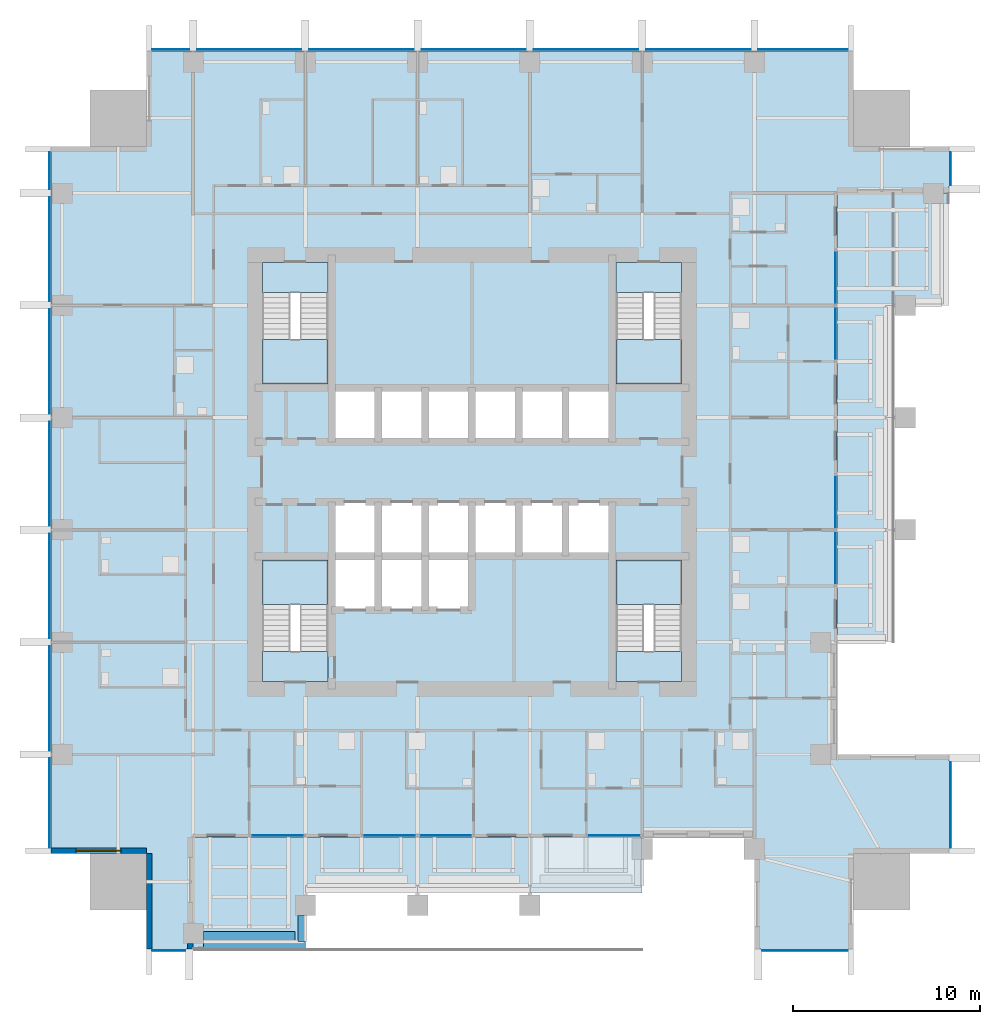
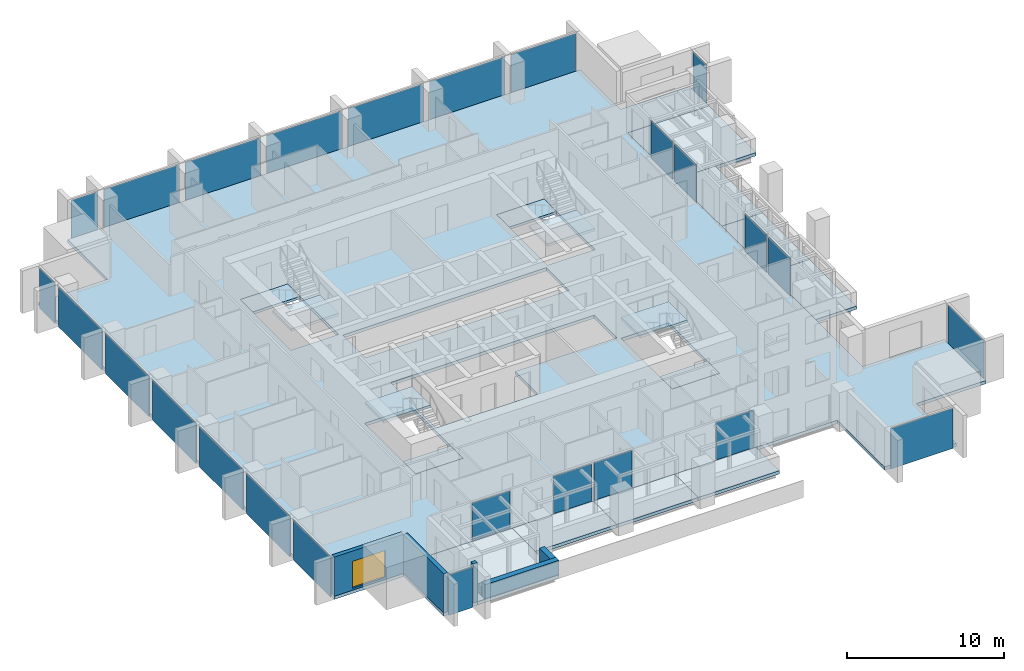
# One storey, part 6 of 16: 26 plates, 17 slabs, 6 walls, 1 window, 1 opening, 18 elements without a shape of their own.
"""IFC4 building model written with IfcOpenShell, lengths in metres."""

from ifc_helpers import new_model, si_unit, direction, frame, frame_2d, origin, origin_2d, place, context, subcontext, project, spatial, polyline, rectangle, outline, extrude, material, layer, layer_set, type_object, element, fill, aggregate, save


model = new_model("IFC4")

# Units and contexts
model_context = context("Model", 3, precision=1e-05, world=origin(), true_north=direction((0.0, 1.0)))
body_context = subcontext(model_context, "Body", "Model", "MODEL_VIEW")
ifc_project = project(units=[si_unit("LENGTHUNIT", "METRE"), si_unit("AREAUNIT", "SQUARE_METRE"), si_unit("VOLUMEUNIT", "CUBIC_METRE"), si_unit("PLANEANGLEUNIT", "RADIAN"), si_unit("MASSUNIT", "GRAM", prefix="KILO")], contexts=[model_context])

# Site, building, storey
site_placement = place(None, origin())
site = spatial("IfcSite", under=ifc_project, at=site_placement, CompositionType="ELEMENT")
building_placement = place(site_placement, origin())
building = spatial("IfcBuilding", under=site, at=building_placement, Name="Amberfall Residences", CompositionType="ELEMENT")
storey_placement = place(building_placement, frame((0.0, 0.0, 108.39990234375)))
storey = spatial("IfcBuildingStorey", under=building, at=storey_placement, Name="L29", CompositionType="ELEMENT", Elevation=108.39990234375)

# Curtain wall, plate
ifc_material_1 = material(Name="Bronze anodised aluminium and glass", Category="aluminium")
curtain_wall_type_1 = type_object("IfcCurtainWallType", Name="Curtain wall CW1 tower unit", PredefinedType="USERDEFINED", material=ifc_material_1)
curtain_wall_1_placement = place(storey_placement, origin())
curtain_wall_1 = element("IfcCurtainWall", 1, at=curtain_wall_1_placement, inside=storey, type_object=curtain_wall_type_1, Name="Curtain wall L29 S S1", ObjectType="UNITISED CURTAIN WALL", PredefinedType="USERDEFINED")
ifc_material_2 = material(Name="Tinted double glazed unit", Category="glass")
ifc_layer_1 = layer(ifc_material_2, 0.035888671875)
ifc_layer_set_1 = layer_set([ifc_layer_1], Name="CW1 panel 36 glazing")
plate_type_1 = type_object("IfcPlateType", Name="CW1 panel 36 glazing", PredefinedType="CURTAIN_PANEL", material=ifc_layer_set_1)
plate_1_placement = place(storey_placement, frame((58.300048828125, 19.925048828125, -0.249755859375), z_axis=(0.0, 0.0, 1.0), x_axis=(1.0, 0.0, 0.0)))
plate_1 = element("IfcPlate", 2, at=plate_1_placement, type_object=plate_type_1, Name="CW1 panel 1.1", PredefinedType="CURTAIN_PANEL", context=body_context, shape_type="SweptSolid", body=[
    extrude(rectangle(XDim=1.77587890625, YDim=0.035888671875, at=origin_2d()), origin(), (0.0, 0.0, 1.0), 3.14990234375),
])
aggregate(curtain_wall_1, [plate_1])

curtain_wall_2_placement = place(storey_placement, origin())
curtain_wall_2 = element("IfcCurtainWall", 3, at=curtain_wall_2_placement, inside=storey, type_object=curtain_wall_type_1, Name="Curtain wall L29 S S9", ObjectType="UNITISED CURTAIN WALL", PredefinedType="USERDEFINED")
plate_2_placement = place(storey_placement, frame((92.300048828125, 19.925048828125, -0.249755859375), z_axis=(0.0, 0.0, 1.0), x_axis=(1.0, 0.0, 0.0)))
plate_2 = element("IfcPlate", 4, at=plate_2_placement, type_object=plate_type_1, Name="CW1 panel 1.1", PredefinedType="CURTAIN_PANEL", context=body_context, shape_type="SweptSolid", body=[
    extrude(rectangle(XDim=4.575927734375, YDim=0.035888671875, at=origin_2d()), origin(), (0.0, 0.0, 1.0), 3.14990234375),
])
aggregate(curtain_wall_2, [plate_2])

curtain_wall_3_placement = place(storey_placement, origin())
curtain_wall_3 = element("IfcCurtainWall", 5, at=curtain_wall_3_placement, inside=storey, type_object=curtain_wall_type_1, Name="Curtain wall L29 E E1", ObjectType="UNITISED CURTAIN WALL", PredefinedType="USERDEFINED")
plate_3_placement = place(storey_placement, frame((100.074951171875, 27.699951171875, -0.249755859375), z_axis=(0.0, 0.0, 1.0), x_axis=(0.0, 1.0, 0.0)))
plate_3 = element("IfcPlate", 6, at=plate_3_placement, type_object=plate_type_1, Name="CW1 panel 1.1", PredefinedType="CURTAIN_PANEL", context=body_context, shape_type="SweptSolid", body=[
    extrude(rectangle(XDim=4.575927734375, YDim=0.035888671875, at=origin_2d()), origin(), (0.0, 0.0, 1.0), 3.14990234375),
])
aggregate(curtain_wall_3, [plate_3])

curtain_wall_4_placement = place(storey_placement, origin())
curtain_wall_4 = element("IfcCurtainWall", 7, at=curtain_wall_4_placement, inside=storey, type_object=curtain_wall_type_1, Name="Curtain wall L29 E E9", ObjectType="UNITISED CURTAIN WALL", PredefinedType="USERDEFINED")
plate_4_placement = place(storey_placement, frame((100.074951171875, 61.699951171875, -0.249755859375), z_axis=(0.0, 0.0, 1.0), x_axis=(0.0, 1.0, 0.0)))
plate_4 = element("IfcPlate", 8, at=plate_4_placement, type_object=plate_type_1, Name="CW1 panel 1.1", PredefinedType="CURTAIN_PANEL", context=body_context, shape_type="SweptSolid", body=[
    extrude(rectangle(XDim=1.77587890625, YDim=0.035888671875, at=origin_2d()), origin(), (0.0, 0.0, 1.0), 3.14990234375),
])
aggregate(curtain_wall_4, [plate_4])

# Curtain wall, plates
curtain_wall_5_placement = place(storey_placement, origin())
curtain_wall_5 = element("IfcCurtainWall", 9, at=curtain_wall_5_placement, inside=storey, type_object=curtain_wall_type_1, Name="Curtain wall L29 N N1", ObjectType="UNITISED CURTAIN WALL", PredefinedType="USERDEFINED")
plate_5_placement = place(storey_placement, frame((92.199951171875, 68.074951171875, -0.249755859375), z_axis=(0.0, 0.0, 1.0), x_axis=(-1.0, 0.0, 0.0)))
plate_5 = element("IfcPlate", 10, at=plate_5_placement, type_object=plate_type_1, Name="CW1 panel 1.1", PredefinedType="CURTAIN_PANEL", context=body_context, shape_type="SweptSolid", body=[
    extrude(rectangle(XDim=4.77587890625, YDim=0.035888671875, at=origin_2d()), origin(), (0.0, 0.0, 1.0), 3.14990234375),
])
plate_6_placement = place(storey_placement, frame((86.60009765625, 68.074951171875, -0.249755859375), z_axis=(0.0, 0.0, 1.0), x_axis=(-1.0, 0.0, 0.0)))
plate_6 = element("IfcPlate", 11, at=plate_6_placement, type_object=plate_type_1, Name="CW1 panel 2.1", PredefinedType="CURTAIN_PANEL", context=body_context, shape_type="SweptSolid", body=[
    extrude(rectangle(XDim=5.575927734375, YDim=0.035888671875, at=origin_2d()), origin(), (0.0, 0.0, 1.0), 3.14990234375),
])
plate_7_placement = place(storey_placement, frame((80.60009765625, 68.074951171875, -0.249755859375), z_axis=(0.0, 0.0, 1.0), x_axis=(-1.0, 0.0, 0.0)))
plate_7 = element("IfcPlate", 12, at=plate_7_placement, type_object=plate_type_1, Name="CW1 panel 3.1", PredefinedType="CURTAIN_PANEL", context=body_context, shape_type="SweptSolid", body=[
    extrude(rectangle(XDim=5.575927734375, YDim=0.035888671875, at=origin_2d()), origin(), (0.0, 0.0, 1.0), 3.14990234375),
])
plate_8_placement = place(storey_placement, frame((74.60009765625, 68.074951171875, -0.249755859375), z_axis=(0.0, 0.0, 1.0), x_axis=(-1.0, 0.0, 0.0)))
plate_8 = element("IfcPlate", 13, at=plate_8_placement, type_object=plate_type_1, Name="CW1 panel 4.1", PredefinedType="CURTAIN_PANEL", context=body_context, shape_type="SweptSolid", body=[
    extrude(rectangle(XDim=5.575927734375, YDim=0.035888671875, at=origin_2d()), origin(), (0.0, 0.0, 1.0), 3.14990234375),
])
plate_9_placement = place(storey_placement, frame((68.60009765625, 68.074951171875, -0.249755859375), z_axis=(0.0, 0.0, 1.0), x_axis=(-1.0, 0.0, 0.0)))
plate_9 = element("IfcPlate", 14, at=plate_9_placement, type_object=plate_type_1, Name="CW1 panel 5.1", PredefinedType="CURTAIN_PANEL", context=body_context, shape_type="SweptSolid", body=[
    extrude(rectangle(XDim=5.575927734375, YDim=0.035888671875, at=origin_2d()), origin(), (0.0, 0.0, 1.0), 3.14990234375),
])
plate_10_placement = place(storey_placement, frame((62.60009765625, 68.074951171875, -0.249755859375), z_axis=(0.0, 0.0, 1.0), x_axis=(-1.0, 0.0, 0.0)))
plate_10 = element("IfcPlate", 15, at=plate_10_placement, type_object=plate_type_1, Name="CW1 panel 6.1", PredefinedType="CURTAIN_PANEL", context=body_context, shape_type="SweptSolid", body=[
    extrude(rectangle(XDim=5.575927734375, YDim=0.035888671875, at=origin_2d()), origin(), (0.0, 0.0, 1.0), 3.14990234375),
])
plate_11_placement = place(storey_placement, frame((58.39990234375, 68.074951171875, -0.249755859375), z_axis=(0.0, 0.0, 1.0), x_axis=(-1.0, 0.0, 0.0)))
plate_11 = element("IfcPlate", 16, at=plate_11_placement, type_object=plate_type_1, Name="CW1 panel 7.1", PredefinedType="CURTAIN_PANEL", context=body_context, shape_type="SweptSolid", body=[
    extrude(rectangle(XDim=1.97607421875, YDim=0.035888671875, at=origin_2d()), origin(), (0.0, 0.0, 1.0), 3.14990234375),
])
aggregate(curtain_wall_5, [plate_5, plate_6, plate_7, plate_8, plate_9, plate_10, plate_11])

curtain_wall_6_placement = place(storey_placement, origin())
curtain_wall_6 = element("IfcCurtainWall", 17, at=curtain_wall_6_placement, inside=storey, type_object=curtain_wall_type_1, Name="Curtain wall L29 W W1", ObjectType="UNITISED CURTAIN WALL", PredefinedType="USERDEFINED")
plate_12_placement = place(storey_placement, frame((51.925048828125, 61.60009765625, -0.249755859375), z_axis=(0.0, 0.0, 1.0), x_axis=(0.0, -1.0, 0.0)))
plate_12 = element("IfcPlate", 18, at=plate_12_placement, type_object=plate_type_1, Name="CW1 panel 1.1", PredefinedType="CURTAIN_PANEL", context=body_context, shape_type="SweptSolid", body=[
    extrude(rectangle(XDim=1.97607421875, YDim=0.035888671875, at=origin_2d()), origin(), (0.0, 0.0, 1.0), 3.14990234375),
])
plate_13_placement = place(storey_placement, frame((51.925048828125, 57.39990234375, -0.249755859375), z_axis=(0.0, 0.0, 1.0), x_axis=(0.0, -1.0, 0.0)))
plate_13 = element("IfcPlate", 19, at=plate_13_placement, type_object=plate_type_1, Name="CW1 panel 2.1", PredefinedType="CURTAIN_PANEL", context=body_context, shape_type="SweptSolid", body=[
    extrude(rectangle(XDim=5.575927734375, YDim=0.035888671875, at=origin_2d()), origin(), (0.0, 0.0, 1.0), 3.14990234375),
])
plate_14_placement = place(storey_placement, frame((51.925048828125, 51.39990234375, -0.249755859375), z_axis=(0.0, 0.0, 1.0), x_axis=(0.0, -1.0, 0.0)))
plate_14 = element("IfcPlate", 20, at=plate_14_placement, type_object=plate_type_1, Name="CW1 panel 3.1", PredefinedType="CURTAIN_PANEL", context=body_context, shape_type="SweptSolid", body=[
    extrude(rectangle(XDim=5.575927734375, YDim=0.035888671875, at=origin_2d()), origin(), (0.0, 0.0, 1.0), 3.14990234375),
])
plate_15_placement = place(storey_placement, frame((51.925048828125, 45.39990234375, -0.249755859375), z_axis=(0.0, 0.0, 1.0), x_axis=(0.0, -1.0, 0.0)))
plate_15 = element("IfcPlate", 21, at=plate_15_placement, type_object=plate_type_1, Name="CW1 panel 4.1", PredefinedType="CURTAIN_PANEL", context=body_context, shape_type="SweptSolid", body=[
    extrude(rectangle(XDim=5.575927734375, YDim=0.035888671875, at=origin_2d()), origin(), (0.0, 0.0, 1.0), 3.14990234375),
])
plate_16_placement = place(storey_placement, frame((51.925048828125, 39.39990234375, -0.249755859375), z_axis=(0.0, 0.0, 1.0), x_axis=(0.0, -1.0, 0.0)))
plate_16 = element("IfcPlate", 22, at=plate_16_placement, type_object=plate_type_1, Name="CW1 panel 5.1", PredefinedType="CURTAIN_PANEL", context=body_context, shape_type="SweptSolid", body=[
    extrude(rectangle(XDim=5.575927734375, YDim=0.035888671875, at=origin_2d()), origin(), (0.0, 0.0, 1.0), 3.14990234375),
])
plate_17_placement = place(storey_placement, frame((51.925048828125, 33.39990234375, -0.249755859375), z_axis=(0.0, 0.0, 1.0), x_axis=(0.0, -1.0, 0.0)))
plate_17 = element("IfcPlate", 23, at=plate_17_placement, type_object=plate_type_1, Name="CW1 panel 6.1", PredefinedType="CURTAIN_PANEL", context=body_context, shape_type="SweptSolid", body=[
    extrude(rectangle(XDim=5.575927734375, YDim=0.035888671875, at=origin_2d()), origin(), (0.0, 0.0, 1.0), 3.14990234375),
])
plate_18_placement = place(storey_placement, frame((51.925048828125, 27.800048828125, -0.249755859375), z_axis=(0.0, 0.0, 1.0), x_axis=(0.0, -1.0, 0.0)))
plate_18 = element("IfcPlate", 24, at=plate_18_placement, type_object=plate_type_1, Name="CW1 panel 7.1", PredefinedType="CURTAIN_PANEL", context=body_context, shape_type="SweptSolid", body=[
    extrude(rectangle(XDim=4.77587890625, YDim=0.035888671875, at=origin_2d()), origin(), (0.0, 0.0, 1.0), 3.14990234375),
])
aggregate(curtain_wall_6, [plate_12, plate_13, plate_14, plate_15, plate_16, plate_17, plate_18])

# Curtain wall, plate
curtain_wall_type_2 = type_object("IfcCurtainWallType", Name="Curtain wall CW3 sky garden glazing", PredefinedType="USERDEFINED", material=ifc_material_1)
curtain_wall_7_placement = place(storey_placement, origin())
curtain_wall_7 = element("IfcCurtainWall", 25, at=curtain_wall_7_placement, inside=storey, type_object=curtain_wall_type_2, Name="Curtain wall L29 S S3", ObjectType="UNITISED CURTAIN WALL", PredefinedType="USERDEFINED")
ifc_material_3 = material(Name="Tinted laminated double glazed unit", Category="glass")
ifc_layer_2 = layer(ifc_material_3, 0.0439453125)
ifc_layer_set_2 = layer_set([ifc_layer_2], Name="CW3 panel 44 glazing")
plate_type_2 = type_object("IfcPlateType", Name="CW3 panel 44 glazing", PredefinedType="CURTAIN_PANEL", material=ifc_layer_set_2)
plate_19_placement = place(storey_placement, frame((64.10009765625, 26.074951171875, 0.000244140625), z_axis=(0.0, 0.0, 1.0), x_axis=(1.0, 0.0, 0.0)))
plate_19 = element("IfcPlate", 26, at=plate_19_placement, type_object=plate_type_2, Name="CW3 panel 1.1", PredefinedType="CURTAIN_PANEL", context=body_context, shape_type="SweptSolid", body=[
    extrude(rectangle(XDim=2.77587890625, YDim=0.0439453125, at=origin_2d()), origin(), (0.0, 0.0, 1.0), 2.89990234375),
])
aggregate(curtain_wall_7, [plate_19])

curtain_wall_8_placement = place(storey_placement, origin())
curtain_wall_8 = element("IfcCurtainWall", 27, at=curtain_wall_8_placement, inside=storey, type_object=curtain_wall_type_2, Name="Curtain wall L29 S S4", ObjectType="UNITISED CURTAIN WALL", PredefinedType="USERDEFINED")
plate_20_placement = place(storey_placement, frame((70.10009765625, 26.074951171875, 0.000244140625), z_axis=(0.0, 0.0, 1.0), x_axis=(1.0, 0.0, 0.0)))
plate_20 = element("IfcPlate", 28, at=plate_20_placement, type_object=plate_type_2, Name="CW3 panel 1.1", PredefinedType="CURTAIN_PANEL", context=body_context, shape_type="SweptSolid", body=[
    extrude(rectangle(XDim=2.77587890625, YDim=0.0439453125, at=origin_2d()), origin(), (0.0, 0.0, 1.0), 2.89990234375),
])
aggregate(curtain_wall_8, [plate_20])

curtain_wall_9_placement = place(storey_placement, origin())
curtain_wall_9 = element("IfcCurtainWall", 29, at=curtain_wall_9_placement, inside=storey, type_object=curtain_wall_type_2, Name="Curtain wall L29 S S5", ObjectType="UNITISED CURTAIN WALL", PredefinedType="USERDEFINED")
plate_21_placement = place(storey_placement, frame((73.10009765625, 26.074951171875, 0.000244140625), z_axis=(0.0, 0.0, 1.0), x_axis=(1.0, 0.0, 0.0)))
plate_21 = element("IfcPlate", 30, at=plate_21_placement, type_object=plate_type_2, Name="CW3 panel 1.1", PredefinedType="CURTAIN_PANEL", context=body_context, shape_type="SweptSolid", body=[
    extrude(rectangle(XDim=2.77587890625, YDim=0.0439453125, at=origin_2d()), origin(), (0.0, 0.0, 1.0), 2.89990234375),
])
aggregate(curtain_wall_9, [plate_21])

curtain_wall_10_placement = place(storey_placement, origin())
curtain_wall_10 = element("IfcCurtainWall", 31, at=curtain_wall_10_placement, inside=storey, type_object=curtain_wall_type_2, Name="Curtain wall L29 S S6", ObjectType="UNITISED CURTAIN WALL", PredefinedType="USERDEFINED")
plate_22_placement = place(storey_placement, frame((82.10009765625, 26.074951171875, 0.000244140625), z_axis=(0.0, 0.0, 1.0), x_axis=(1.0, 0.0, 0.0)))
plate_22 = element("IfcPlate", 32, at=plate_22_placement, type_object=plate_type_2, Name="CW3 panel 1.1", PredefinedType="CURTAIN_PANEL", context=body_context, shape_type="SweptSolid", body=[
    extrude(rectangle(XDim=2.77587890625, YDim=0.0439453125, at=origin_2d()), origin(), (0.0, 0.0, 1.0), 2.89990234375),
])
aggregate(curtain_wall_10, [plate_22])

curtain_wall_11_placement = place(storey_placement, origin())
curtain_wall_11 = element("IfcCurtainWall", 33, at=curtain_wall_11_placement, inside=storey, type_object=curtain_wall_type_2, Name="Curtain wall L29 E E4", ObjectType="UNITISED CURTAIN WALL", PredefinedType="USERDEFINED")
plate_23_placement = place(storey_placement, frame((93.925048828125, 40.89990234375, 0.000244140625), z_axis=(0.0, 0.0, 1.0), x_axis=(0.0, 1.0, 0.0)))
plate_23 = element("IfcPlate", 34, at=plate_23_placement, type_object=plate_type_2, Name="CW3 panel 1.1", PredefinedType="CURTAIN_PANEL", context=body_context, shape_type="SweptSolid", body=[
    extrude(rectangle(XDim=2.77587890625, YDim=0.0439453125, at=origin_2d()), origin(), (0.0, 0.0, 1.0), 2.89990234375),
])
aggregate(curtain_wall_11, [plate_23])

curtain_wall_12_placement = place(storey_placement, origin())
curtain_wall_12 = element("IfcCurtainWall", 35, at=curtain_wall_12_placement, inside=storey, type_object=curtain_wall_type_2, Name="Curtain wall L29 E E5", ObjectType="UNITISED CURTAIN WALL", PredefinedType="USERDEFINED")
plate_24_placement = place(storey_placement, frame((93.925048828125, 43.89990234375, 0.000244140625), z_axis=(0.0, 0.0, 1.0), x_axis=(0.0, 1.0, 0.0)))
plate_24 = element("IfcPlate", 36, at=plate_24_placement, type_object=plate_type_2, Name="CW3 panel 1.1", PredefinedType="CURTAIN_PANEL", context=body_context, shape_type="SweptSolid", body=[
    extrude(rectangle(XDim=2.77587890625, YDim=0.0439453125, at=origin_2d()), origin(), (0.0, 0.0, 1.0), 2.89990234375),
])
aggregate(curtain_wall_12, [plate_24])

curtain_wall_13_placement = place(storey_placement, origin())
curtain_wall_13 = element("IfcCurtainWall", 37, at=curtain_wall_13_placement, inside=storey, type_object=curtain_wall_type_2, Name="Curtain wall L29 E E6", ObjectType="UNITISED CURTAIN WALL", PredefinedType="USERDEFINED")
plate_25_placement = place(storey_placement, frame((93.925048828125, 52.89990234375, 0.000244140625), z_axis=(0.0, 0.0, 1.0), x_axis=(0.0, 1.0, 0.0)))
plate_25 = element("IfcPlate", 38, at=plate_25_placement, type_object=plate_type_2, Name="CW3 panel 1.1", PredefinedType="CURTAIN_PANEL", context=body_context, shape_type="SweptSolid", body=[
    extrude(rectangle(XDim=2.77587890625, YDim=0.0439453125, at=origin_2d()), origin(), (0.0, 0.0, 1.0), 2.89990234375),
])
aggregate(curtain_wall_13, [plate_25])

curtain_wall_14_placement = place(storey_placement, origin())
curtain_wall_14 = element("IfcCurtainWall", 39, at=curtain_wall_14_placement, inside=storey, type_object=curtain_wall_type_2, Name="Curtain wall L29 E E7", ObjectType="UNITISED CURTAIN WALL", PredefinedType="USERDEFINED")
plate_26_placement = place(storey_placement, frame((93.925048828125, 55.89990234375, 0.000244140625), z_axis=(0.0, 0.0, 1.0), x_axis=(0.0, 1.0, 0.0)))
plate_26 = element("IfcPlate", 40, at=plate_26_placement, type_object=plate_type_2, Name="CW3 panel 1.1", PredefinedType="CURTAIN_PANEL", context=body_context, shape_type="SweptSolid", body=[
    extrude(rectangle(XDim=2.77587890625, YDim=0.0439453125, at=origin_2d()), origin(), (0.0, 0.0, 1.0), 2.89990234375),
])
aggregate(curtain_wall_14, [plate_26])

# Slabs
ifc_material_4 = material(Name="Concrete C70", Category="concrete")
ifc_layer_3 = layer(ifc_material_4, 0.25)
ifc_layer_set_3 = layer_set([ifc_layer_3], Name="Floor slab 250 C70")
slab_type_1 = type_object("IfcSlabType", Name="Floor slab 250 C70", PredefinedType="FLOOR", material=ifc_layer_set_3)
slab_1_placement = place(storey_placement, frame((0.0, 0.0, -0.25)))
element("IfcSlab", 41, at=slab_1_placement, inside=storey, type_object=slab_type_1, Name="Floor slab S7 L29", PredefinedType="FLOOR", context=body_context, shape_type="SweptSolid", body=[
    extrude(outline(polyline([(89.60009765625, 20.0), (89.60009765625, 26.0), (83.60009765625, 26.0), (77.60009765625, 26.0), (71.60009765625, 26.0), (65.60009765625, 26.0), (59.60009765625, 26.0), (59.60009765625, 20.0), (57.10009765625, 20.0), (57.10009765625, 25.10009765625), (52.0, 25.10009765625), (52.0, 62.89990234375), (57.10009765625, 62.89990234375), (57.10009765625, 68.0), (94.89990234375, 68.0), (94.89990234375, 62.89990234375), (100.0, 62.89990234375), (100.0, 60.39990234375), (94.0, 60.39990234375), (94.0, 54.39990234375), (94.0, 48.39990234375), (94.0, 42.39990234375), (94.0, 36.39990234375), (94.0, 30.39990234375), (100.0, 30.39990234375), (100.0, 25.10009765625), (94.89990234375, 25.10009765625), (94.89990234375, 20.0), (89.60009765625, 20.0)]), holes=[polyline([(85.699951171875, 34.300048828125), (85.699951171875, 40.800048828125), (82.199951171875, 40.800048828125), (82.199951171875, 34.300048828125), (85.699951171875, 34.300048828125)]), polyline([(82.199951171875, 50.199951171875), (85.699951171875, 50.199951171875), (85.699951171875, 56.699951171875), (82.199951171875, 56.699951171875), (82.199951171875, 50.199951171875)]), polyline([(69.5, 50.0), (67.0, 50.0), (67.0, 47.10009765625), (69.5, 47.10009765625), (72.0, 47.10009765625), (74.5, 47.10009765625), (77.0, 47.10009765625), (79.5, 47.10009765625), (82.0, 47.10009765625), (82.0, 50.0), (79.5, 50.0), (77.0, 50.0), (74.5, 50.0), (72.0, 50.0), (69.5, 50.0)]), polyline([(74.5, 41.0), (77.0, 41.0), (79.5, 41.0), (82.0, 41.0), (82.0, 43.89990234375), (79.5, 43.89990234375), (77.0, 43.89990234375), (74.5, 43.89990234375), (72.0, 43.89990234375), (69.5, 43.89990234375), (67.0, 43.89990234375), (67.0, 41.0), (67.0, 38.10009765625), (69.5, 38.10009765625), (72.0, 38.10009765625), (74.5, 38.10009765625), (74.5, 41.0)]), polyline([(66.800048828125, 34.300048828125), (66.800048828125, 40.800048828125), (63.300048828125, 40.800048828125), (63.300048828125, 34.300048828125), (66.800048828125, 34.300048828125)]), polyline([(66.800048828125, 50.199951171875), (66.800048828125, 56.699951171875), (63.300048828125, 56.699951171875), (63.300048828125, 50.199951171875), (66.800048828125, 50.199951171875)])]), origin(), (0.0, 0.0, 1.0), 0.25),
])
ifc_layer_4 = layer(ifc_material_4, 0.25)
ifc_layer_set_4 = layer_set([ifc_layer_4], Name="Garden terrace slab 250 C70")
slab_type_2 = type_object("IfcSlabType", Name="Garden terrace slab 250 C70", PredefinedType="FLOOR", material=ifc_layer_set_4)
slab_2_placement = place(storey_placement, frame((0.0, 0.0, -0.25)))
element("IfcSlab", 42, at=slab_2_placement, inside=storey, type_object=slab_type_2, Name="Terrace slab S8 L29 S1", PredefinedType="FLOOR", context=body_context, shape_type="SweptSolid", body=[
    extrude(outline(polyline([(65.60009765625, 20.0), (65.60009765625, 26.0), (59.60009765625, 26.0), (59.60009765625, 20.0), (65.60009765625, 20.0)])), origin(), (0.0, 0.0, 1.0), 0.25),
])
slab_3_placement = place(storey_placement, frame((0.0, 0.0, -0.25)))
element("IfcSlab", 43, at=slab_3_placement, inside=storey, type_object=slab_type_2, Name="Terrace slab S8 L29 S2", PredefinedType="FLOOR", context=body_context, shape_type="SweptSolid", body=[
    extrude(outline(polyline([(65.60009765625, 26.0), (71.60009765625, 26.0), (71.60009765625, 23.0), (65.60009765625, 23.0), (65.60009765625, 26.0)])), origin(), (0.0, 0.0, 1.0), 0.25),
])
slab_4_placement = place(storey_placement, frame((0.0, 0.0, -0.25)))
element("IfcSlab", 44, at=slab_4_placement, inside=storey, type_object=slab_type_2, Name="Terrace slab S8 L29 S3", PredefinedType="FLOOR", context=body_context, shape_type="SweptSolid", body=[
    extrude(outline(polyline([(71.60009765625, 26.0), (77.60009765625, 26.0), (77.60009765625, 23.0), (71.60009765625, 23.0), (71.60009765625, 26.0)])), origin(), (0.0, 0.0, 1.0), 0.25),
])
slab_5_placement = place(storey_placement, frame((0.0, 0.0, -0.25)))
element("IfcSlab", 45, at=slab_5_placement, inside=storey, type_object=slab_type_2, Name="Terrace slab S8 L29 S4", PredefinedType="FLOOR", context=body_context, shape_type="SweptSolid", body=[
    extrude(outline(polyline([(77.60009765625, 26.0), (83.60009765625, 26.0), (83.60009765625, 23.0), (77.60009765625, 23.0), (77.60009765625, 26.0)])), origin(), (0.0, 0.0, 1.0), 0.25),
])
slab_6_placement = place(storey_placement, frame((0.0, 0.0, -0.25)))
element("IfcSlab", 46, at=slab_6_placement, inside=storey, type_object=slab_type_2, Name="Terrace slab S8 L29 E2", PredefinedType="FLOOR", context=body_context, shape_type="SweptSolid", body=[
    extrude(outline(polyline([(94.0, 36.39990234375), (94.0, 42.39990234375), (97.0, 42.39990234375), (97.0, 36.39990234375), (94.0, 36.39990234375)])), origin(), (0.0, 0.0, 1.0), 0.25),
])
slab_7_placement = place(storey_placement, frame((0.0, 0.0, -0.25)))
element("IfcSlab", 47, at=slab_7_placement, inside=storey, type_object=slab_type_2, Name="Terrace slab S8 L29 E3", PredefinedType="FLOOR", context=body_context, shape_type="SweptSolid", body=[
    extrude(outline(polyline([(94.0, 42.39990234375), (94.0, 48.39990234375), (97.0, 48.39990234375), (97.0, 42.39990234375), (94.0, 42.39990234375)])), origin(), (0.0, 0.0, 1.0), 0.25),
])
slab_8_placement = place(storey_placement, frame((0.0, 0.0, -0.25)))
element("IfcSlab", 48, at=slab_8_placement, inside=storey, type_object=slab_type_2, Name="Terrace slab S8 L29 E4", PredefinedType="FLOOR", context=body_context, shape_type="SweptSolid", body=[
    extrude(outline(polyline([(94.0, 48.39990234375), (94.0, 54.39990234375), (97.0, 54.39990234375), (97.0, 48.39990234375), (94.0, 48.39990234375)])), origin(), (0.0, 0.0, 1.0), 0.25),
])
slab_9_placement = place(storey_placement, frame((0.0, 0.0, -0.25)))
element("IfcSlab", 49, at=slab_9_placement, inside=storey, type_object=slab_type_2, Name="Terrace slab S8 L29 E5", PredefinedType="FLOOR", context=body_context, shape_type="SweptSolid", body=[
    extrude(outline(polyline([(100.0, 54.39990234375), (100.0, 60.39990234375), (94.0, 60.39990234375), (94.0, 54.39990234375), (100.0, 54.39990234375)])), origin(), (0.0, 0.0, 1.0), 0.25),
])

# Stair, slabs
ifc_material_5 = material(Name="Concrete C40", Category="concrete")
stair_type = type_object("IfcStairType", Name="Exit stair 20 risers 165.0 mm", PredefinedType="HALF_TURN_STAIR", material=ifc_material_5)
stair_1_placement = place(storey_placement, origin())
stair_1 = element("IfcStair", 50, at=stair_1_placement, inside=storey, type_object=stair_type, Name="L29 Exit stair 1", PredefinedType="HALF_TURN_STAIR")
ifc_layer_5 = layer(ifc_material_5, 0.199951171875)
ifc_layer_set_5 = layer_set([ifc_layer_5], Name="Stair landing 200")
slab_type_3 = type_object("IfcSlabType", Name="Stair landing 200", PredefinedType="LANDING", material=ifc_layer_set_5)
slab_10_placement = place(storey_placement, frame((0.0, 0.0, 1.4501953125)))
slab_10 = element("IfcSlab", 51, at=slab_10_placement, type_object=slab_type_3, Name="ST3 landing 1", PredefinedType="LANDING", context=body_context, shape_type="SweptSolid", body=[
    extrude(outline(polyline([(66.800048828125, 38.419921875), (66.800048828125, 40.800048828125), (63.300048828125, 40.800048828125), (63.300048828125, 38.419921875), (66.800048828125, 38.419921875)])), origin(), (0.0, 0.0, 1.0), 0.199951171875),
])
slab_11_placement = place(storey_placement, frame((0.0, 0.0, -0.199951171875)))
slab_11 = element("IfcSlab", 52, at=slab_11_placement, type_object=slab_type_3, Name="ST3 landing 2", PredefinedType="LANDING", context=body_context, shape_type="SweptSolid", body=[
    extrude(outline(polyline([(66.800048828125, 34.300048828125), (66.800048828125, 35.89990234375), (63.300048828125, 35.89990234375), (63.300048828125, 34.300048828125), (66.800048828125, 34.300048828125)])), origin(), (0.0, 0.0, 1.0), 0.199951171875),
])
aggregate(stair_1, [slab_10, slab_11])

stair_2_placement = place(storey_placement, origin())
stair_2 = element("IfcStair", 53, at=stair_2_placement, inside=storey, type_object=stair_type, Name="L29 Exit stair 2", PredefinedType="HALF_TURN_STAIR")
slab_12_placement = place(storey_placement, frame((0.0, 0.0, 1.4501953125)))
slab_12 = element("IfcSlab", 54, at=slab_12_placement, type_object=slab_type_3, Name="ST3 landing 1", PredefinedType="LANDING", context=body_context, shape_type="SweptSolid", body=[
    extrude(outline(polyline([(85.699951171875, 38.419921875), (85.699951171875, 40.800048828125), (82.199951171875, 40.800048828125), (82.199951171875, 38.419921875), (85.699951171875, 38.419921875)])), origin(), (0.0, 0.0, 1.0), 0.199951171875),
])
slab_13_placement = place(storey_placement, frame((0.0, 0.0, -0.199951171875)))
slab_13 = element("IfcSlab", 55, at=slab_13_placement, type_object=slab_type_3, Name="ST3 landing 2", PredefinedType="LANDING", context=body_context, shape_type="SweptSolid", body=[
    extrude(outline(polyline([(85.699951171875, 34.300048828125), (85.699951171875, 35.89990234375), (82.199951171875, 35.89990234375), (82.199951171875, 34.300048828125), (85.699951171875, 34.300048828125)])), origin(), (0.0, 0.0, 1.0), 0.199951171875),
])
aggregate(stair_2, [slab_12, slab_13])

stair_3_placement = place(storey_placement, origin())
stair_3 = element("IfcStair", 56, at=stair_3_placement, inside=storey, type_object=stair_type, Name="L29 Exit stair 3", PredefinedType="HALF_TURN_STAIR")
slab_14_placement = place(storey_placement, frame((0.0, 0.0, 1.4501953125)))
slab_14 = element("IfcSlab", 57, at=slab_14_placement, type_object=slab_type_3, Name="ST3 landing 1", PredefinedType="LANDING", context=body_context, shape_type="SweptSolid", body=[
    extrude(outline(polyline([(82.199951171875, 52.580078125), (82.199951171875, 50.199951171875), (85.699951171875, 50.199951171875), (85.699951171875, 52.580078125), (82.199951171875, 52.580078125)])), origin(), (0.0, 0.0, 1.0), 0.199951171875),
])
slab_15_placement = place(storey_placement, frame((0.0, 0.0, -0.199951171875)))
slab_15 = element("IfcSlab", 58, at=slab_15_placement, type_object=slab_type_3, Name="ST3 landing 2", PredefinedType="LANDING", context=body_context, shape_type="SweptSolid", body=[
    extrude(outline(polyline([(82.199951171875, 56.699951171875), (82.199951171875, 55.10009765625), (85.699951171875, 55.10009765625), (85.699951171875, 56.699951171875), (82.199951171875, 56.699951171875)])), origin(), (0.0, 0.0, 1.0), 0.199951171875),
])
aggregate(stair_3, [slab_14, slab_15])

stair_4_placement = place(storey_placement, origin())
stair_4 = element("IfcStair", 59, at=stair_4_placement, inside=storey, type_object=stair_type, Name="L29 Exit stair 4", PredefinedType="HALF_TURN_STAIR")
slab_16_placement = place(storey_placement, frame((0.0, 0.0, 1.4501953125)))
slab_16 = element("IfcSlab", 60, at=slab_16_placement, type_object=slab_type_3, Name="ST3 landing 1", PredefinedType="LANDING", context=body_context, shape_type="SweptSolid", body=[
    extrude(outline(polyline([(63.300048828125, 52.580078125), (63.300048828125, 50.199951171875), (66.800048828125, 50.199951171875), (66.800048828125, 52.580078125), (63.300048828125, 52.580078125)])), origin(), (0.0, 0.0, 1.0), 0.199951171875),
])
slab_17_placement = place(storey_placement, frame((0.0, 0.0, -0.199951171875)))
slab_17 = element("IfcSlab", 61, at=slab_17_placement, type_object=slab_type_3, Name="ST3 landing 2", PredefinedType="LANDING", context=body_context, shape_type="SweptSolid", body=[
    extrude(outline(polyline([(63.300048828125, 56.699951171875), (63.300048828125, 55.10009765625), (66.800048828125, 55.10009765625), (66.800048828125, 56.699951171875), (63.300048828125, 56.699951171875)])), origin(), (0.0, 0.0, 1.0), 0.199951171875),
])
aggregate(stair_4, [slab_16, slab_17])

# Wall
ifc_material_6 = material(Name="Pale stone cladding on insulated backing", Category="masonry")
ifc_layer_6 = layer(ifc_material_6, 0.300048828125)
ifc_layer_set_6 = layer_set([ifc_layer_6], Name="Bronze clad wall 300")
wall_type_1 = type_object("IfcWallType", Name="Bronze clad wall 300", PredefinedType="SOLIDWALL", material=ifc_layer_set_6)
wall_1_placement = place(storey_placement, frame((59.449951171875, 20.0, 0.0), z_axis=(0.0, 0.0, 1.0), x_axis=(0.0, 1.0, 0.0)))
element("IfcWall", 62, at=wall_1_placement, inside=storey, type_object=wall_type_1, Name="External wall L29 S", PredefinedType="SOLIDWALL", context=body_context, shape_type="SweptSolid", body=[
    extrude(rectangle(XDim=0.300048828125, YDim=0.300048828125, at=frame_2d((0.14990234375, 0.0))), origin(), (0.0, 0.0, 1.0), 3.050048828125),
])

# Wall, opening, window
wall_2_placement = place(storey_placement, frame((52.0, 25.25, 0.0), z_axis=(0.0, 0.0, 1.0), x_axis=(1.0, 0.0, 0.0)))
wall_2 = element("IfcWall", 63, at=wall_2_placement, inside=storey, type_object=wall_type_1, Name="External wall L29 SW", PredefinedType="SOLIDWALL", context=body_context, shape_type="SweptSolid", body=[
    extrude(rectangle(XDim=5.10009765625, YDim=0.300048828125, at=frame_2d((2.550048828125, 0.0))), origin(), (0.0, 0.0, 1.0), 3.050048828125),
])
opening_placement = place(wall_2_placement, frame((1.35009765625, 0.0, 0.14990234375)))
opening = element("IfcOpeningElement", 64, at=opening_placement, cuts=wall_2, Name="Opening WN5", PredefinedType="OPENING", context=body_context, shape_type="SweptSolid", body=[
    extrude(rectangle(XDim=2.39990234375, YDim=2.10009765625, at=frame_2d((1.199951171875, 1.050048828125))), frame((0.0, 0.159912109375, 0.0), z_axis=(0.0, -1.0, 0.0), x_axis=(1.0, 0.0, 0.0)), (0.0, 0.0, 1.0), 0.320068359375),
])
ifc_material_7 = material(Name="Bronze aluminium framed glazing", Category="aluminium")
window_type = type_object("IfcWindowType", Name="Glazed opening 2400 x 2100 bronze", PartitioningType="DOUBLE_PANEL_VERTICAL", PredefinedType="WINDOW", material=ifc_material_7)
window_placement = place(opening_placement, origin())
window = element("IfcWindow", 65, at=window_placement, inside=storey, type_object=window_type, Name="Window L29 SW", OverallHeight=2.10009765625, OverallWidth=2.39990234375, PartitioningType="DOUBLE_PANEL_VERTICAL", PredefinedType="WINDOW", context=body_context, shape_type="SweptSolid", body=[
    extrude(rectangle(XDim=2.39990234375, YDim=2.10009765625, at=frame_2d((1.199951171875, 1.050048828125))), frame((0.0, 0.030029296875, 0.0), z_axis=(0.0, -1.0, 0.0), x_axis=(1.0, 0.0, 0.0)), (0.0, 0.0, 1.0), 0.06005859375),
])
fill(opening, window)

# Walls
wall_3_placement = place(storey_placement, frame((57.25, 25.10009765625, 0.0), z_axis=(0.0, 0.0, 1.0), x_axis=(0.0, -1.0, 0.0)))
element("IfcWall", 66, at=wall_3_placement, inside=storey, type_object=wall_type_1, Name="External wall L29 SW", PredefinedType="SOLIDWALL", context=body_context, shape_type="SweptSolid", body=[
    extrude(rectangle(XDim=5.10009765625, YDim=0.300048828125, at=frame_2d((2.550048828125, 0.0))), origin(), (0.0, 0.0, 1.0), 3.050048828125),
])
ifc_material_8 = material(Name="Precast concrete C32/40", Category="concrete")
ifc_layer_7 = layer(ifc_material_8, 0.5)
ifc_layer_set_7 = layer_set([ifc_layer_7], Name="Planter wall 500")
wall_type_2 = type_object("IfcWallType", Name="Planter wall 500", PredefinedType="SOLIDWALL", material=ifc_layer_set_7)
wall_4_placement = place(storey_placement, frame((60.14990234375, 20.699951171875, 0.030029296875), z_axis=(0.0, 0.0, 1.0), x_axis=(1.0, 0.0, 0.0)))
element("IfcWall", 67, at=wall_4_placement, inside=storey, type_object=wall_type_2, Name="Planter L29 S1", PredefinedType="SOLIDWALL", context=body_context, shape_type="SweptSolid", body=[
    extrude(rectangle(XDim=4.900146484375, YDim=0.5, at=frame_2d((2.4501953125, 0.0))), origin(), (0.0, 0.0, 1.0), 0.60009765625),
])
ifc_material_9 = material(Name="Pale stone faced Concrete C40", Category="masonry")
ifc_layer_8 = layer(ifc_material_9, 0.39990234375)
ifc_layer_set_8 = layer_set([ifc_layer_8], Name="Terrace parapet wall 400")
wall_type_3 = type_object("IfcWallType", Name="Terrace parapet wall 400", PredefinedType="PARAPET", material=ifc_layer_set_8)
wall_5_placement = place(storey_placement, frame((60.14990234375, 20.199951171875, 0.030029296875), z_axis=(0.0, 0.0, 1.0), x_axis=(1.0, 0.0, 0.0)))
element("IfcWall", 68, at=wall_5_placement, inside=storey, type_object=wall_type_3, Name="Terrace parapet L29 S1", PredefinedType="PARAPET", context=body_context, shape_type="SweptSolid", body=[
    extrude(rectangle(XDim=5.4501953125, YDim=0.39990234375, at=frame_2d((2.72509765625, 0.0))), origin(), (0.0, 0.0, 1.0), 1.10009765625),
])
wall_6_placement = place(storey_placement, frame((65.39990234375, 20.39990234375, 0.030029296875), z_axis=(0.0, 0.0, 1.0), x_axis=(0.0, 1.0, 0.0)))
element("IfcWall", 69, at=wall_6_placement, inside=storey, type_object=wall_type_3, Name="Terrace parapet L29 S1 return", PredefinedType="PARAPET", context=body_context, shape_type="SweptSolid", body=[
    extrude(rectangle(XDim=1.400146484375, YDim=0.39990234375, at=frame_2d((0.7001953125, 0.0))), origin(), (0.0, 0.0, 1.0), 1.10009765625),
])

save(model, "model.ifc")
